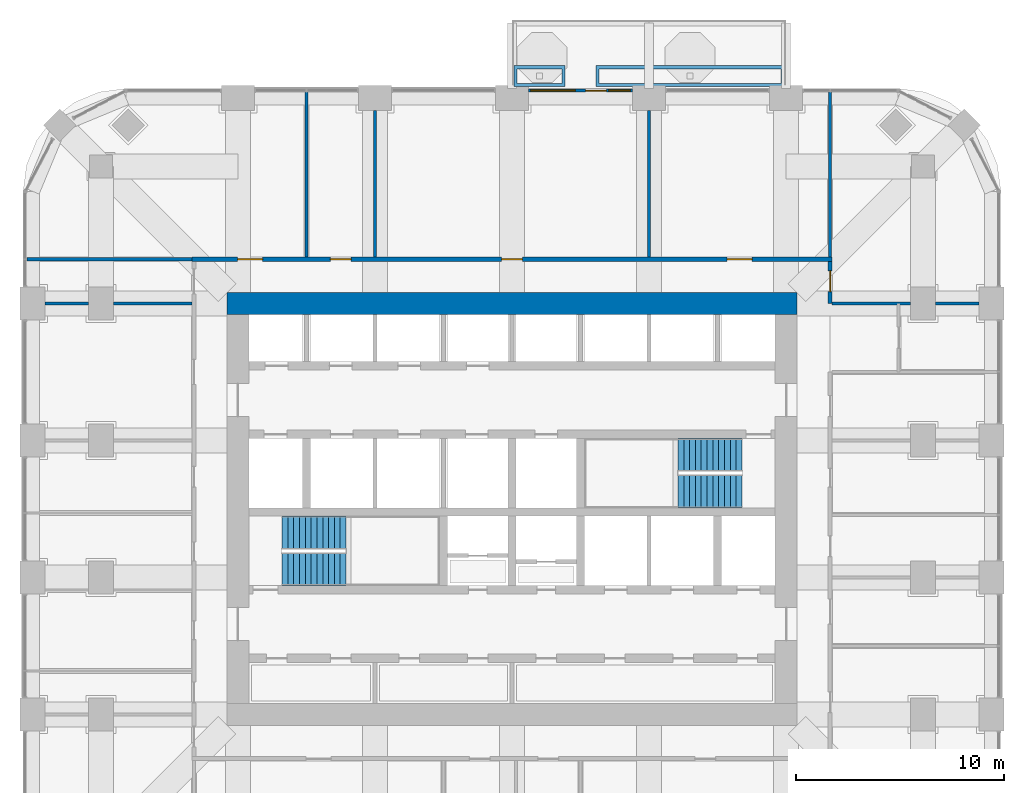
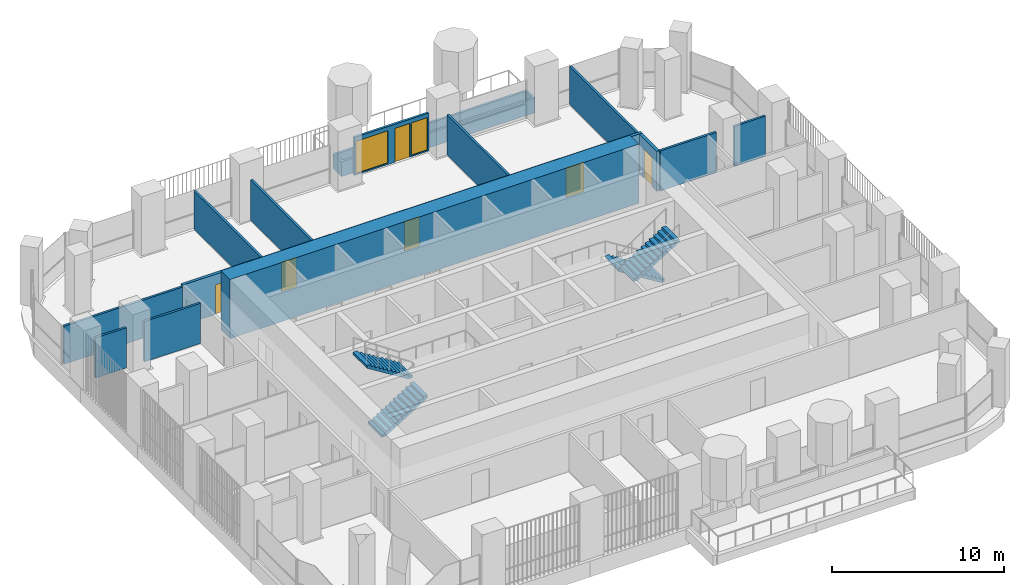
# One storey, part 15 of 19: 15 walls, 6 doors, 4 stair flights, 2 windows, 8 openings, 2 elements without a shape of their own.
"""IFC4 building model written with IfcOpenShell, lengths in metres."""

from ifc_helpers import new_model, si_unit, direction, frame, frame_2d, origin, place, context, subcontext, project, spatial, polyline, rectangle, outline, extrude, material, layer, layer_set, type_object, element, fill, aggregate, save


model = new_model("IFC4")

# Units and contexts
model_context = context("Model", 3, precision=1e-05, world=origin(), true_north=direction((0.0, 1.0)))
body_context = subcontext(model_context, "Body", "Model", "MODEL_VIEW")
ifc_project = project(units=[si_unit("LENGTHUNIT", "METRE"), si_unit("AREAUNIT", "SQUARE_METRE"), si_unit("VOLUMEUNIT", "CUBIC_METRE"), si_unit("PLANEANGLEUNIT", "RADIAN"), si_unit("MASSUNIT", "GRAM", prefix="KILO")], contexts=[model_context])

# Site, building, storey
site_placement = place(None, origin())
site = spatial("IfcSite", under=ifc_project, at=site_placement, CompositionType="ELEMENT")
building_placement = place(site_placement, origin())
building = spatial("IfcBuilding", under=site, at=building_placement, Name="Cobogo Forest Laboratory Tower", CompositionType="ELEMENT")
storey_placement = place(building_placement, frame((0.0, 0.0, 197.699951171875)))
storey = spatial("IfcBuildingStorey", under=building, at=storey_placement, Name="L45", CompositionType="ELEMENT", Elevation=197.699951171875)

# Wall
ifc_material_1 = material(Name="Concrete HA-50 (C50/60)", Category="concrete")
ifc_layer_1 = layer(ifc_material_1, 1.050048828125)
ifc_layer_set_1 = layer_set([ifc_layer_1], Name="CW1050 core outer wall 1050")
wall_type_1 = type_object("IfcWallType", Name="CW1050 core outer wall 1050", PredefinedType="SHEAR", material=ifc_layer_set_1)
wall_1_placement = place(storey_placement, frame((40.125, 33.0, 0.0), z_axis=(0.0, 0.0, 1.0), x_axis=(-1.0, 0.0, 0.0)))
element("IfcWall", 1, at=wall_1_placement, inside=storey, type_object=wall_type_1, Name="Core wall CO-N L45", PredefinedType="SHEAR", context=body_context, shape_type="SweptSolid", body=[
    extrude(rectangle(XDim=27.449951171875, YDim=1.050048828125, at=frame_2d((13.72509765625, 0.0))), origin(), (0.0, 0.0, 1.0), 4.199951171875),
])

# Wall, openings, door, windows
ifc_material_2 = material(Name="Aluminium framed glazed screen", Category="aluminium")
ifc_layer_2 = layer(ifc_material_2, 0.14990234375)
ifc_layer_set_2 = layer_set([ifc_layer_2], Name="GS1 glazed door screen 150")
wall_type_2 = type_object("IfcWallType", Name="GS1 glazed door screen 150", PredefinedType="SOLIDWALL", material=ifc_layer_set_2)
wall_2_placement = place(storey_placement, frame((32.199951171875, 43.25, 0.0), z_axis=(0.0, 0.0, 1.0), x_axis=(-1.0, 0.0, 0.0)))
wall_2 = element("IfcWall", 2, at=wall_2_placement, inside=storey, type_object=wall_type_2, Name="Door screen BAL-N1 L45", PredefinedType="SOLIDWALL", context=body_context, shape_type="SweptSolid", body=[
    extrude(rectangle(XDim=5.0, YDim=0.14990234375, at=frame_2d((2.5, 0.0))), origin(), (0.0, 0.0, 1.0), 2.699951171875),
])
opening_1_placement = place(wall_2_placement, frame((1.25, 0.0, 0.0)))
opening_1 = element("IfcOpeningElement", 3, at=opening_1_placement, cuts=wall_2, Name="Opening L45-D42", PredefinedType="OPENING", context=body_context, shape_type="SweptSolid", body=[
    extrude(rectangle(XDim=1.0, YDim=2.39990234375, at=frame_2d((0.5, 1.199951171875))), frame((0.0, 0.0849609375, 0.0), z_axis=(0.0, -1.0, 0.0), x_axis=(1.0, 0.0, 0.0)), (0.0, 0.0, 1.0), 0.169921875),
])
opening_2_placement = place(wall_2_placement, frame((0.10009765625, 0.0, 0.10009765625)))
opening_2 = element("IfcOpeningElement", 4, at=opening_2_placement, cuts=wall_2, Name="Opening L45-W04", PredefinedType="OPENING", context=body_context, shape_type="SweptSolid", body=[
    extrude(rectangle(XDim=1.050048828125, YDim=2.300048828125, at=frame_2d((0.52490234375, 1.14990234375))), frame((0.0, 0.0849609375, 0.0), z_axis=(0.0, -1.0, 0.0), x_axis=(1.0, 0.0, 0.0)), (0.0, 0.0, 1.0), 0.169921875),
])
opening_3_placement = place(wall_2_placement, frame((2.75, 0.0, 0.10009765625)))
opening_3 = element("IfcOpeningElement", 5, at=opening_3_placement, cuts=wall_2, Name="Opening L45-W03", PredefinedType="OPENING", context=body_context, shape_type="SweptSolid", body=[
    extrude(rectangle(XDim=2.14990234375, YDim=2.300048828125, at=frame_2d((1.074951171875, 1.14990234375))), frame((0.0, 0.0849609375, 0.0), z_axis=(0.0, -1.0, 0.0), x_axis=(1.0, 0.0, 0.0)), (0.0, 0.0, 1.0), 0.169921875),
])
ifc_material_3 = material(Name="Aluminium glazed door", Category="aluminium")
door_type_1 = type_object("IfcDoorType", Name="DB1 balcony door 1000 glazed", OperationType="SINGLE_SWING_LEFT", PredefinedType="DOOR", material=ifc_material_3)
door_1_placement = place(opening_1_placement, origin())
door_1 = element("IfcDoor", 6, at=door_1_placement, inside=storey, type_object=door_type_1, Name="Door L45-BAL-N1", OperationType="SINGLE_SWING_LEFT", OverallHeight=2.39990234375, OverallWidth=1.0, PredefinedType="DOOR", context=body_context, shape_type="SweptSolid", body=[
    extrude(rectangle(XDim=1.0, YDim=2.39990234375, at=frame_2d((0.5, 1.199951171875))), frame((0.0, 0.02490234375, 0.0), z_axis=(0.0, -1.0, 0.0), x_axis=(1.0, 0.0, 0.0)), (0.0, 0.0, 1.0), 0.050048828125),
])
fill(opening_1, door_1)
ifc_material_4 = material(Name="Aluminium framed glazing", Category="aluminium")
window_type_1 = type_object("IfcWindowType", Name="WG13 fixed glazed light 2150x2300", PartitioningType="SINGLE_PANEL", PredefinedType="WINDOW", material=ifc_material_4)
window_1_placement = place(opening_3_placement, origin())
window_1 = element("IfcWindow", 7, at=window_1_placement, inside=storey, type_object=window_type_1, Name="Window L45-BAL-N1-2", OverallHeight=2.300048828125, OverallWidth=2.14990234375, PartitioningType="SINGLE_PANEL", PredefinedType="WINDOW", context=body_context, shape_type="SweptSolid", body=[
    extrude(rectangle(XDim=2.14990234375, YDim=2.300048828125, at=frame_2d((1.074951171875, 1.14990234375))), frame((0.0, 0.030029296875, 0.0), z_axis=(0.0, -1.0, 0.0), x_axis=(1.0, 0.0, 0.0)), (0.0, 0.0, 1.0), 0.06005859375),
])
fill(opening_3, window_1)
window_type_2 = type_object("IfcWindowType", Name="WG14 fixed glazed light 1050x2300", PartitioningType="SINGLE_PANEL", PredefinedType="WINDOW", material=ifc_material_4)
window_2_placement = place(opening_2_placement, origin())
window_2 = element("IfcWindow", 8, at=window_2_placement, inside=storey, type_object=window_type_2, Name="Window L45-BAL-N1-1", OverallHeight=2.300048828125, OverallWidth=1.050048828125, PartitioningType="SINGLE_PANEL", PredefinedType="WINDOW", context=body_context, shape_type="SweptSolid", body=[
    extrude(rectangle(XDim=1.050048828125, YDim=2.300048828125, at=frame_2d((0.52490234375, 1.14990234375))), frame((0.0, 0.030029296875, 0.0), z_axis=(0.0, -1.0, 0.0), x_axis=(1.0, 0.0, 0.0)), (0.0, 0.0, 1.0), 0.06005859375),
])
fill(opening_2, window_2)

# Walls
ifc_material_5 = material(Name="Gypsum board on steel studs", Category="steel")
ifc_layer_3 = layer(ifc_material_5, 0.14990234375)
ifc_layer_set_3 = layer_set([ifc_layer_3], Name="PT1 laboratory partition 150")
wall_type_3 = type_object("IfcWallType", Name="PT1 laboratory partition 150", PredefinedType="PARTITIONING", material=ifc_layer_set_3)
wall_3_placement = place(storey_placement, frame((41.72509765625, 43.169921875, 0.0), z_axis=(0.0, 0.0, 1.0), x_axis=(0.0, -1.0, 0.0)))
element("IfcWall", 9, at=wall_3_placement, inside=storey, type_object=wall_type_3, Name="Partition PW-NE L45", PredefinedType="PARTITIONING", context=body_context, shape_type="SweptSolid", body=[
    extrude(rectangle(XDim=7.94482421875, YDim=0.14990234375, at=frame_2d((3.972412109375, 0.0))), origin(), (0.0, 0.0, 1.0), 2.699951171875),
])
wall_4_placement = place(storey_placement, frame((3.030029296875, 35.125, 0.0), z_axis=(0.0, 0.0, 1.0), x_axis=(1.0, 0.0, 0.0)))
element("IfcWall", 10, at=wall_4_placement, inside=storey, type_object=wall_type_3, Name="Partition PW-NW L45", PredefinedType="PARTITIONING", context=body_context, shape_type="SweptSolid", body=[
    extrude(rectangle(XDim=7.945068359375, YDim=0.14990234375, at=frame_2d((3.97265625, 0.0))), origin(), (0.0, 0.0, 1.0), 2.699951171875),
])
wall_5_placement = place(storey_placement, frame((48.89990234375, 33.0, 0.0), z_axis=(0.0, 0.0, 1.0), x_axis=(-1.0, 0.0, 0.0)))
element("IfcWall", 11, at=wall_5_placement, inside=storey, type_object=wall_type_3, Name="Partition CUT-E33-1 L45", PredefinedType="PARTITIONING", context=body_context, shape_type="SweptSolid", body=[
    extrude(rectangle(XDim=2.099853515625, YDim=0.14990234375, at=frame_2d((1.0498046875, 0.0))), origin(), (0.0, 0.0, 1.0), 2.85009765625),
])
wall_6_placement = place(storey_placement, frame((45.60009765625, 33.0, 0.0), z_axis=(0.0, 0.0, 1.0), x_axis=(-1.0, 0.0, 0.0)))
element("IfcWall", 12, at=wall_6_placement, inside=storey, type_object=wall_type_3, Name="Partition CUT-E33-2 L45", PredefinedType="PARTITIONING", context=body_context, shape_type="SweptSolid", body=[
    extrude(rectangle(XDim=3.775146484375, YDim=0.14990234375, at=frame_2d((1.8876953125, 0.0))), origin(), (0.0, 0.0, 1.0), 2.85009765625),
])
wall_7_placement = place(storey_placement, frame((16.5, 43.169921875, 0.0), z_axis=(0.0, 0.0, 1.0), x_axis=(0.0, -1.0, 0.0)))
element("IfcWall", 13, at=wall_7_placement, inside=storey, type_object=wall_type_3, Name="Partition CUT-N16.5-1 L45", PredefinedType="PARTITIONING", context=body_context, shape_type="SweptSolid", body=[
    extrude(rectangle(XDim=7.94482421875, YDim=0.14990234375, at=frame_2d((3.972412109375, 0.0))), origin(), (0.0, 0.0, 1.0), 2.699951171875),
])
for number, where, z_axis, x_axis, name in (
    (14, (19.800048828125, 42.300048828125, 0.0), (0.0, 0.0, 1.0), (0.0, -1.0, 0.0), "Partition CUT-N19.8-1 L45"),
    (15, (33.0, 42.300048828125, 0.0), (0.0, 0.0, 1.0), (0.0, -1.0, 0.0), "Partition CUT-N33-1 L45"),
):
    element("IfcWall", number, at=place(storey_placement, frame(where, z_axis=z_axis, x_axis=x_axis)), inside=storey, type_object=wall_type_3, Name=name, PredefinedType="PARTITIONING", context=body_context, shape_type="SweptSolid", body=[
        extrude(rectangle(XDim=7.074951171875, YDim=0.14990234375, at=frame_2d((3.53759765625, 0.0))), origin(), (0.0, 0.0, 1.0), 2.85009765625),
    ])
wall_8_placement = place(storey_placement, frame((3.89990234375, 33.0, 0.0), z_axis=(0.0, 0.0, 1.0), x_axis=(1.0, 0.0, 0.0)))
element("IfcWall", 16, at=wall_8_placement, inside=storey, type_object=wall_type_3, Name="Partition CUT-W33-1 L45", PredefinedType="PARTITIONING", context=body_context, shape_type="SweptSolid", body=[
    extrude(rectangle(XDim=2.10009765625, YDim=0.14990234375, at=frame_2d((1.050048828125, 0.0))), origin(), (0.0, 0.0, 1.0), 2.85009765625),
])
wall_9_placement = place(storey_placement, frame((7.199951171875, 33.0, 0.0), z_axis=(0.0, 0.0, 1.0), x_axis=(1.0, 0.0, 0.0)))
element("IfcWall", 17, at=wall_9_placement, inside=storey, type_object=wall_type_3, Name="Partition CUT-W33-2 L45", PredefinedType="PARTITIONING", context=body_context, shape_type="SweptSolid", body=[
    extrude(rectangle(XDim=3.775146484375, YDim=0.14990234375, at=frame_2d((1.8876953125, 0.0))), origin(), (0.0, 0.0, 1.0), 2.85009765625),
])

# Wall, openings, doors
ifc_layer_4 = layer(ifc_material_5, 0.199951171875)
ifc_layer_set_4 = layer_set([ifc_layer_4], Name="PT2 fire-rated corridor partition 200")
wall_type_4 = type_object("IfcWallType", Name="PT2 fire-rated corridor partition 200", PredefinedType="PARTITIONING", material=ifc_layer_set_4)
wall_10_placement = place(storey_placement, frame((10.97509765625, 35.125, 0.0), z_axis=(0.0, 0.0, 1.0), x_axis=(1.0, 0.0, 0.0)))
wall_10 = element("IfcWall", 18, at=wall_10_placement, inside=storey, type_object=wall_type_4, Name="Partition CORR-N L45", PredefinedType="PARTITIONING", context=body_context, shape_type="SweptSolid", body=[
    extrude(rectangle(XDim=30.849853515625, YDim=0.199951171875, at=frame_2d((15.4248046875, 0.0))), origin(), (0.0, 0.0, 1.0), 2.85009765625),
])
opening_4_placement = place(wall_10_placement, frame((2.21240234375, 0.0, 0.0)))
opening_4 = element("IfcOpeningElement", 19, at=opening_4_placement, cuts=wall_10, Name="Opening L45-D38", PredefinedType="OPENING", context=body_context, shape_type="SweptSolid", body=[
    extrude(rectangle(XDim=1.199951171875, YDim=2.10009765625, at=frame_2d((0.60009765625, 1.050048828125))), frame((0.0, 0.10986328125, 0.0), z_axis=(0.0, -1.0, 0.0), x_axis=(1.0, 0.0, 0.0)), (0.0, 0.0, 1.0), 0.219970703125),
])
opening_5_placement = place(wall_10_placement, frame((6.675048828125, 0.0, 0.0)))
opening_5 = element("IfcOpeningElement", 20, at=opening_5_placement, cuts=wall_10, Name="Opening L45-D39", PredefinedType="OPENING", context=body_context, shape_type="SweptSolid", body=[
    extrude(rectangle(XDim=1.0, YDim=2.10009765625, at=frame_2d((0.5, 1.050048828125))), frame((0.0, 0.10986328125, 0.0), z_axis=(0.0, -1.0, 0.0), x_axis=(1.0, 0.0, 0.0)), (0.0, 0.0, 1.0), 0.219970703125),
])
opening_6_placement = place(wall_10_placement, frame((14.925048828125, 0.0, 0.0)))
opening_6 = element("IfcOpeningElement", 21, at=opening_6_placement, cuts=wall_10, Name="Opening L45-D40", PredefinedType="OPENING", context=body_context, shape_type="SweptSolid", body=[
    extrude(rectangle(XDim=1.0, YDim=2.10009765625, at=frame_2d((0.5, 1.050048828125))), frame((0.0, 0.10986328125, 0.0), z_axis=(0.0, -1.0, 0.0), x_axis=(1.0, 0.0, 0.0)), (0.0, 0.0, 1.0), 0.219970703125),
])
opening_7_placement = place(wall_10_placement, frame((25.78759765625, 0.0, 0.0)))
opening_7 = element("IfcOpeningElement", 22, at=opening_7_placement, cuts=wall_10, Name="Opening L45-D41", PredefinedType="OPENING", context=body_context, shape_type="SweptSolid", body=[
    extrude(rectangle(XDim=1.199951171875, YDim=2.10009765625, at=frame_2d((0.60009765625, 1.050048828125))), frame((0.0, 0.10986328125, 0.0), z_axis=(0.0, -1.0, 0.0), x_axis=(1.0, 0.0, 0.0)), (0.0, 0.0, 1.0), 0.219970703125),
])
ifc_material_6 = material(Name="Timber door", Category="wood")
door_type_2 = type_object("IfcDoorType", Name="D2 laboratory door 1200 unequal pair", OperationType="DOUBLE_DOOR_SINGLE_SWING", PredefinedType="DOOR", material=ifc_material_6)
door_2_placement = place(opening_4_placement, origin())
door_2 = element("IfcDoor", 23, at=door_2_placement, inside=storey, type_object=door_type_2, Name="Door L45-N1", OperationType="DOUBLE_DOOR_SINGLE_SWING", OverallHeight=2.10009765625, OverallWidth=1.199951171875, PredefinedType="DOOR", context=body_context, shape_type="SweptSolid", body=[
    extrude(rectangle(XDim=1.199951171875, YDim=2.10009765625, at=frame_2d((0.60009765625, 1.050048828125))), frame((0.0, 0.02490234375, 0.0), z_axis=(0.0, -1.0, 0.0), x_axis=(1.0, 0.0, 0.0)), (0.0, 0.0, 1.0), 0.050048828125),
])
fill(opening_4, door_2)
door_3_placement = place(opening_7_placement, origin())
door_3 = element("IfcDoor", 24, at=door_3_placement, inside=storey, type_object=door_type_2, Name="Door L45-N4", OperationType="DOUBLE_DOOR_SINGLE_SWING", OverallHeight=2.10009765625, OverallWidth=1.199951171875, PredefinedType="DOOR", context=body_context, shape_type="SweptSolid", body=[
    extrude(rectangle(XDim=1.199951171875, YDim=2.10009765625, at=frame_2d((0.60009765625, 1.050048828125))), frame((0.0, 0.02490234375, 0.0), z_axis=(0.0, -1.0, 0.0), x_axis=(1.0, 0.0, 0.0)), (0.0, 0.0, 1.0), 0.050048828125),
])
fill(opening_7, door_3)
ifc_material_7 = material(Name="Timber fire door", Category="wood")
door_type_3 = type_object("IfcDoorType", Name="FD2 fire door 1000 EI2 30", OperationType="SINGLE_SWING_LEFT", PredefinedType="DOOR", material=ifc_material_7)
door_4_placement = place(opening_5_placement, origin())
door_4 = element("IfcDoor", 25, at=door_4_placement, inside=storey, type_object=door_type_3, Name="Door L45-N2", OperationType="SINGLE_SWING_LEFT", OverallHeight=2.10009765625, OverallWidth=1.0, PredefinedType="DOOR", context=body_context, shape_type="SweptSolid", body=[
    extrude(rectangle(XDim=1.0, YDim=2.10009765625, at=frame_2d((0.5, 1.050048828125))), frame((0.0, 0.02490234375, 0.0), z_axis=(0.0, -1.0, 0.0), x_axis=(1.0, 0.0, 0.0)), (0.0, 0.0, 1.0), 0.050048828125),
])
fill(opening_5, door_4)
door_5_placement = place(opening_6_placement, origin())
door_5 = element("IfcDoor", 26, at=door_5_placement, inside=storey, type_object=door_type_3, Name="Door L45-N3", OperationType="SINGLE_SWING_LEFT", OverallHeight=2.10009765625, OverallWidth=1.0, PredefinedType="DOOR", context=body_context, shape_type="SweptSolid", body=[
    extrude(rectangle(XDim=1.0, YDim=2.10009765625, at=frame_2d((0.5, 1.050048828125))), frame((0.0, 0.02490234375, 0.0), z_axis=(0.0, -1.0, 0.0), x_axis=(1.0, 0.0, 0.0)), (0.0, 0.0, 1.0), 0.050048828125),
])
fill(opening_6, door_5)

# Wall, opening, door
wall_11_placement = place(storey_placement, frame((41.72509765625, 33.0, 0.0), z_axis=(0.0, 0.0, 1.0), x_axis=(0.0, 1.0, 0.0)))
wall_11 = element("IfcWall", 27, at=wall_11_placement, inside=storey, type_object=wall_type_4, Name="Partition CORR-E-2 L45", PredefinedType="PARTITIONING", context=body_context, shape_type="SweptSolid", body=[
    extrude(rectangle(XDim=2.02490234375, YDim=0.199951171875, at=frame_2d((1.012451171875, 0.0))), origin(), (0.0, 0.0, 1.0), 2.85009765625),
])
opening_8_placement = place(wall_11_placement, frame((0.5625, 0.0, 0.0)))
opening_8 = element("IfcOpeningElement", 28, at=opening_8_placement, cuts=wall_11, Name="Opening L45-D37", PredefinedType="OPENING", context=body_context, shape_type="SweptSolid", body=[
    extrude(rectangle(XDim=1.0, YDim=2.10009765625, at=frame_2d((0.5, 1.050048828125))), frame((0.0, 0.10986328125, 0.0), z_axis=(0.0, -1.0, 0.0), x_axis=(1.0, 0.0, 0.0)), (0.0, 0.0, 1.0), 0.219970703125),
])
door_6_placement = place(opening_8_placement, origin())
door_6 = element("IfcDoor", 29, at=door_6_placement, inside=storey, type_object=door_type_3, Name="Door L45-E5", OperationType="SINGLE_SWING_RIGHT", OverallHeight=2.10009765625, OverallWidth=1.0, PredefinedType="DOOR", context=body_context, shape_type="SweptSolid", body=[
    extrude(rectangle(XDim=1.0, YDim=2.10009765625, at=frame_2d((0.5, 1.050048828125))), frame((0.0, 0.02490234375, 0.0), z_axis=(0.0, -1.0, 0.0), x_axis=(1.0, 0.0, 0.0)), (0.0, 0.0, 1.0), 0.050048828125),
])
fill(opening_8, door_6)

# Walls
ifc_material_8 = material(Name="Concrete HA-40 (C40/50)", Category="concrete")
ifc_layer_5 = layer(ifc_material_8, 0.14990234375)
ifc_layer_set_5 = layer_set([ifc_layer_5], Name="Planter box 1000x1050")
wall_type_5 = type_object("IfcWallType", Name="Planter box 1000x1050", PredefinedType="USERDEFINED", material=ifc_layer_set_5)
wall_12_placement = place(storey_placement, origin())
element("IfcWall", 30, at=wall_12_placement, inside=storey, type_object=wall_type_5, Name="Planter BAL-N1-1 L45", ObjectType="PLANTER", PredefinedType="USERDEFINED", context=body_context, shape_type="SweptSolid", body=[
    extrude(outline(polyline([(26.5, 43.449951171875), (28.949951171875, 43.449951171875), (28.949951171875, 44.449951171875), (26.5, 44.449951171875), (26.5, 43.449951171875)]), holes=[polyline([(26.64990234375, 43.60009765625), (28.800048828125, 43.60009765625), (28.800048828125, 44.300048828125), (26.64990234375, 44.300048828125), (26.64990234375, 43.60009765625)])]), origin(), (0.0, 0.0, 1.0), 1.050048828125),
])
wall_13_placement = place(storey_placement, origin())
element("IfcWall", 31, at=wall_13_placement, inside=storey, type_object=wall_type_5, Name="Planter BAL-N1-2 L45", ObjectType="PLANTER", PredefinedType="USERDEFINED", context=body_context, shape_type="SweptSolid", body=[
    extrude(outline(polyline([(30.449951171875, 43.449951171875), (39.5, 43.449951171875), (39.5, 44.449951171875), (30.449951171875, 44.449951171875), (30.449951171875, 43.449951171875)]), holes=[polyline([(30.60009765625, 43.60009765625), (39.35009765625, 43.60009765625), (39.35009765625, 44.300048828125), (30.60009765625, 44.300048828125), (30.60009765625, 43.60009765625)])]), origin(), (0.0, 0.0, 1.0), 1.050048828125),
])

# Stair, stair flights
ifc_material_9 = material(Name="Precast concrete HA-40 (C40/50)", Category="concrete")
stair_type = type_object("IfcStairType", Name="ST24 exit stair 24 risers", PredefinedType="HALF_TURN_STAIR", material=ifc_material_9)
stair_1_placement = place(storey_placement, origin())
stair_1 = element("IfcStair", 32, at=stair_1_placement, inside=storey, type_object=stair_type, Name="Stair 1 L45 to L46", PredefinedType="HALF_TURN_STAIR")
stair_flight_type = type_object("IfcStairFlightType", Name="ST stair flight 280 going", PredefinedType="STRAIGHT", material=ifc_material_9)
stair_flight_1_placement = place(storey_placement, frame((15.324951171875, 20.199951171875, 0.0), z_axis=(0.0, 0.0, 1.0), x_axis=(1.0, 0.0, 0.0)))
stair_flight_1 = element("IfcStairFlight", 33, at=stair_flight_1_placement, type_object=stair_flight_type, Name="ST1 flight 1", NumberOfRisers=12, NumberOfTreads=11, PredefinedType="STRAIGHT", RiserHeight=0.175, TreadLength=0.28, context=body_context, shape_type="SweptSolid", body=[
    extrude(outline(polyline([(0.0, 0.0), (0.0, 0.175048828125), (0.280029296875, 0.175048828125), (0.280029296875, 0.35009765625), (0.56005859375, 0.35009765625), (0.56005859375, 0.52490234375), (0.840087890625, 0.52490234375), (0.840087890625, 0.699951171875), (1.1201171875, 0.699951171875), (1.1201171875, 0.875), (1.39990234375, 0.875), (1.39990234375, 1.050048828125), (1.679931640625, 1.050048828125), (1.679931640625, 1.22509765625), (1.9599609375, 1.22509765625), (1.9599609375, 1.39990234375), (2.239990234375, 1.39990234375), (2.239990234375, 1.574951171875), (2.52001953125, 1.574951171875), (2.52001953125, 1.75), (2.800048828125, 1.75), (2.800048828125, 1.925048828125), (3.080078125, 1.925048828125), (3.080078125, 2.10009765625), (3.080078125, 1.748291015625), (0.28271484375, 0.0), (0.0, 0.0)])), frame((0.0, 0.800048828125, 0.0), z_axis=(0.0, -1.0, 0.0), x_axis=(1.0, 0.0, 0.0)), (0.0, 0.0, 1.0), 1.60009765625),
])
stair_flight_2_placement = place(storey_placement, frame((18.405029296875, 21.949951171875, 2.10009765625), z_axis=(0.0, 0.0, 1.0), x_axis=(-1.0, 0.0, 0.0)))
stair_flight_2 = element("IfcStairFlight", 34, at=stair_flight_2_placement, type_object=stair_flight_type, Name="ST1 flight 2", NumberOfRisers=12, NumberOfTreads=11, PredefinedType="STRAIGHT", RiserHeight=0.175, TreadLength=0.28, context=body_context, shape_type="SweptSolid", body=[
    extrude(outline(polyline([(0.0, 0.0), (0.0, 0.175048828125), (0.280029296875, 0.175048828125), (0.280029296875, 0.35009765625), (0.56005859375, 0.35009765625), (0.56005859375, 0.52490234375), (0.840087890625, 0.52490234375), (0.840087890625, 0.699951171875), (1.1201171875, 0.699951171875), (1.1201171875, 0.875), (1.39990234375, 0.875), (1.39990234375, 1.050048828125), (1.679931640625, 1.050048828125), (1.679931640625, 1.22509765625), (1.9599609375, 1.22509765625), (1.9599609375, 1.39990234375), (2.239990234375, 1.39990234375), (2.239990234375, 1.574951171875), (2.52001953125, 1.574951171875), (2.52001953125, 1.75), (2.800048828125, 1.75), (2.800048828125, 1.925048828125), (3.080078125, 1.925048828125), (3.080078125, 2.10009765625), (3.080078125, 1.748291015625), (0.28271484375, 0.0), (0.0, 0.0)])), frame((0.0, 0.800048828125, 0.0), z_axis=(0.0, -1.0, 0.0), x_axis=(1.0, 0.0, 0.0)), (0.0, 0.0, 1.0), 1.60009765625),
])
aggregate(stair_1, [stair_flight_1, stair_flight_2])

stair_2_placement = place(storey_placement, origin())
stair_2 = element("IfcStair", 35, at=stair_2_placement, inside=storey, type_object=stair_type, Name="Stair 2 L45 to L46", PredefinedType="HALF_TURN_STAIR")
stair_flight_3_placement = place(storey_placement, frame((37.47509765625, 25.699951171875, 0.0), z_axis=(0.0, 0.0, 1.0), x_axis=(-1.0, 0.0, 0.0)))
stair_flight_3 = element("IfcStairFlight", 36, at=stair_flight_3_placement, type_object=stair_flight_type, Name="ST2 flight 1", NumberOfRisers=12, NumberOfTreads=11, PredefinedType="STRAIGHT", RiserHeight=0.175, TreadLength=0.28, context=body_context, shape_type="SweptSolid", body=[
    extrude(outline(polyline([(0.0, 0.0), (0.0, 0.175048828125), (0.280029296875, 0.175048828125), (0.280029296875, 0.35009765625), (0.56005859375, 0.35009765625), (0.56005859375, 0.52490234375), (0.840087890625, 0.52490234375), (0.840087890625, 0.699951171875), (1.1201171875, 0.699951171875), (1.1201171875, 0.875), (1.39990234375, 0.875), (1.39990234375, 1.050048828125), (1.679931640625, 1.050048828125), (1.679931640625, 1.22509765625), (1.9599609375, 1.22509765625), (1.9599609375, 1.39990234375), (2.239990234375, 1.39990234375), (2.239990234375, 1.574951171875), (2.52001953125, 1.574951171875), (2.52001953125, 1.75), (2.800048828125, 1.75), (2.800048828125, 1.925048828125), (3.080078125, 1.925048828125), (3.080078125, 2.10009765625), (3.080078125, 1.748291015625), (0.28271484375, 0.0), (0.0, 0.0)])), frame((0.0, 0.800048828125, 0.0), z_axis=(0.0, -1.0, 0.0), x_axis=(1.0, 0.0, 0.0)), (0.0, 0.0, 1.0), 1.60009765625),
])
stair_flight_4_placement = place(storey_placement, frame((34.39501953125, 23.949951171875, 2.10009765625), z_axis=(0.0, 0.0, 1.0), x_axis=(1.0, 0.0, 0.0)))
stair_flight_4 = element("IfcStairFlight", 37, at=stair_flight_4_placement, type_object=stair_flight_type, Name="ST2 flight 2", NumberOfRisers=12, NumberOfTreads=11, PredefinedType="STRAIGHT", RiserHeight=0.175, TreadLength=0.28, context=body_context, shape_type="SweptSolid", body=[
    extrude(outline(polyline([(0.0, 0.0), (0.0, 0.175048828125), (0.280029296875, 0.175048828125), (0.280029296875, 0.35009765625), (0.56005859375, 0.35009765625), (0.56005859375, 0.52490234375), (0.840087890625, 0.52490234375), (0.840087890625, 0.699951171875), (1.1201171875, 0.699951171875), (1.1201171875, 0.875), (1.39990234375, 0.875), (1.39990234375, 1.050048828125), (1.679931640625, 1.050048828125), (1.679931640625, 1.22509765625), (1.9599609375, 1.22509765625), (1.9599609375, 1.39990234375), (2.239990234375, 1.39990234375), (2.239990234375, 1.574951171875), (2.52001953125, 1.574951171875), (2.52001953125, 1.75), (2.800048828125, 1.75), (2.800048828125, 1.925048828125), (3.080078125, 1.925048828125), (3.080078125, 2.10009765625), (3.080078125, 1.748291015625), (0.28271484375, 0.0), (0.0, 0.0)])), frame((0.0, 0.800048828125, 0.0), z_axis=(0.0, -1.0, 0.0), x_axis=(1.0, 0.0, 0.0)), (0.0, 0.0, 1.0), 1.60009765625),
])
aggregate(stair_2, [stair_flight_3, stair_flight_4])

save(model, "model.ifc")
